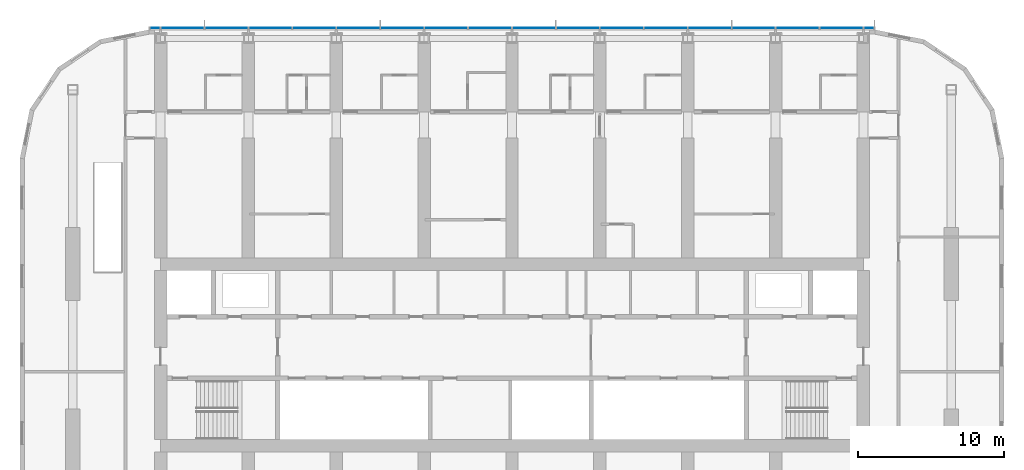
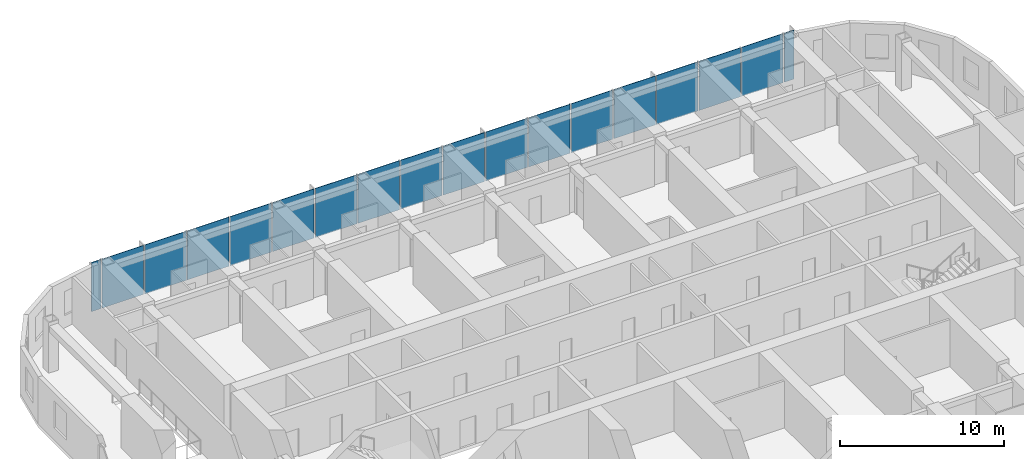
# One storey, part 9 of 22: 18 plates, 1 element without a shape of its own.
"""IFC4 building model written with IfcOpenShell, lengths in metres."""

import ifcopenshell
import ifcopenshell.guid

model = None  # the IFC model being written
_history = None  # IfcOwnerHistory: only IFC2X3 demands one
_inside = {}  # id of a spatial element -> (the spatial element, [elements in it])
_under = {}  # id of a project, library or spatial element -> (it, [spatial elements below it])
_declared = {}  # id of a project -> (the project, [libraries it declares])
_typed = {}  # id of a type object -> (the type object, [elements of that type])
_made_of = {}  # id of a material, layer set ... -> (it, [elements and type objects made of it])


def new_model(schema):
    """Start an empty IFC model of exactly this schema.

    Asked for "IFC4X3", IfcOpenShell would pick the latest addendum, in which some entities
    have other attributes; the version numbers below select the first issue.
    IFC2X3 requires an IfcOwnerHistory on every rooted entity: one is made here for all.
    """
    global model, _history
    if schema == "IFC4X3":
        model = ifcopenshell.file(schema_version=(4, 3, 0, 0))
    else:
        model = ifcopenshell.file(schema=schema)
    _inside.clear()
    _under.clear()
    _declared.clear()
    _typed.clear()
    _made_of.clear()
    _history = None
    if model.schema == "IFC2X3":
        org = make("IfcOrganization", Name="unknown")
        user = make(
            "IfcPersonAndOrganization",
            ThePerson=make("IfcPerson", FamilyName="unknown"),
            TheOrganization=org,
        )
        app = make(
            "IfcApplication",
            ApplicationDeveloper=org,
            Version="unknown",
            ApplicationFullName="unknown",
            ApplicationIdentifier="unknown",
        )
        _history = make(
            "IfcOwnerHistory",
            OwningUser=user,
            OwningApplication=app,
            ChangeAction="ADDED",
            CreationDate=0,
        )
    return model


def make(cls, **values):
    """One entity of the class cls with the attributes given. An attribute that is None is left unset."""
    return model.create_entity(
        cls, **{name: value for name, value in values.items() if value is not None}
    )


def rooted(cls, **values):
    """An entity with a GlobalId (a new one), such as an element, a storey or a relation."""
    return make(cls, GlobalId=ifcopenshell.guid.new(), OwnerHistory=_history, **values)


def si_unit(unit_type, name, prefix=None):
    """IfcSIUnit, for example si_unit("LENGTHUNIT", "METRE", prefix="MILLI")."""
    return make("IfcSIUnit", UnitType=unit_type, Prefix=prefix, Name=name)


def assignment(units):
    """IfcUnitAssignment: the units of a project."""
    return None if units is None else make("IfcUnitAssignment", Units=units)


def point(xyz):
    """IfcCartesianPoint."""
    return None if xyz is None else make("IfcCartesianPoint", Coordinates=xyz)


def direction(xyz):
    """IfcDirection."""
    return None if xyz is None else make("IfcDirection", DirectionRatios=xyz)


def frame(location, z_axis=None, x_axis=None):
    """IfcAxis2Placement3D, a coordinate frame: its origin and axes. An axis left out is left unset."""
    return make(
        "IfcAxis2Placement3D",
        Location=point(location),
        Axis=direction(z_axis),
        RefDirection=direction(x_axis),
    )


def frame_2d(location, x_axis=None):
    """IfcAxis2Placement2D, a coordinate frame in the plane: its origin and x axis."""
    return make(
        "IfcAxis2Placement2D", Location=point(location), RefDirection=direction(x_axis)
    )


def origin():
    """The frame at (0, 0, 0) with its axes left unset."""
    return frame((0.0, 0.0, 0.0))


def origin_2d():
    """The frame at (0, 0) in the plane with its x axis left unset."""
    return frame_2d((0.0, 0.0))


def place(relative_to, where):
    """IfcLocalPlacement: puts the frame where relative to a parent placement (None: the world)."""
    return make(
        "IfcLocalPlacement", PlacementRelTo=relative_to, RelativePlacement=where
    )


def context(
    kind, dimensions, precision=None, world=None, true_north=None, identifier=None
):
    """IfcGeometricRepresentationContext, for example the 3D "Model" context."""
    return make(
        "IfcGeometricRepresentationContext",
        ContextIdentifier=identifier,
        ContextType=kind,
        CoordinateSpaceDimension=dimensions,
        Precision=precision,
        WorldCoordinateSystem=world,
        TrueNorth=true_north,
    )


def subcontext(parent, identifier, kind, view, scale=None):
    """IfcGeometricRepresentationSubContext, for example "Body" below "Model"."""
    return make(
        "IfcGeometricRepresentationSubContext",
        ContextIdentifier=identifier,
        ContextType=kind,
        ParentContext=parent,
        TargetScale=scale,
        TargetView=view,
    )


def project(units=None, contexts=None):
    """IfcProject with its units and contexts."""
    return rooted(
        "IfcProject",
        Name="project",
        RepresentationContexts=contexts,
        UnitsInContext=assignment(units),
    )


def spatial(cls, under=None, at=None, **own):
    """A site, building, storey or space (cls), placed at a placement, below another one or the project."""
    s = rooted(cls, ObjectPlacement=at, **own)
    if under is not None:
        _under.setdefault(under.id(), (under, []))[1].append(s)
    return s


def profile(cls, at=None, kind="AREA", **sizes):
    """A parametric profile (cls). Its sizes go by their IFC names, for example OverallWidth=200.0."""
    return make(cls, ProfileType=kind, Position=at, **sizes)


def rectangle(**sizes):
    """IfcRectangleProfileDef."""
    return profile("IfcRectangleProfileDef", **sizes)


def extrude(swept, where, along, depth):
    """IfcExtrudedAreaSolid: the profile swept, set in the frame where, extruded along a direction by depth."""
    return make(
        "IfcExtrudedAreaSolid",
        SweptArea=swept,
        Position=where,
        ExtrudedDirection=direction(along),
        Depth=depth,
    )


def shape(context_of_items, identifier, shape_type, items):
    """IfcShapeRepresentation: the items that make up one representation, for example the "Body"."""
    return make(
        "IfcShapeRepresentation",
        ContextOfItems=context_of_items,
        RepresentationIdentifier=identifier,
        RepresentationType=shape_type,
        Items=items,
    )


def material(Name=None, Category=None):
    """IfcMaterial."""
    return make("IfcMaterial", Name=Name, Category=Category)


def layer(
    of_material, thickness, ventilated=None, Name=None, Category=None, Priority=None
):
    """IfcMaterialLayer: one layer of a wall or slab, of a material (None: an air gap)."""
    return make(
        "IfcMaterialLayer",
        Material=of_material,
        LayerThickness=thickness,
        IsVentilated=ventilated,
        Name=Name,
        Category=Category,
        Priority=Priority,
    )


def layer_set(layers, Name=None):
    """IfcMaterialLayerSet."""
    return make("IfcMaterialLayerSet", MaterialLayers=layers, LayerSetName=Name)


def made_of(thing, what):
    """Note that an element or type object is made of a material, layer set ...; save() writes the relation."""
    if what is not None:
        _made_of.setdefault(what.id(), (what, []))[1].append(thing)
    return thing


def type_object(cls, material=None, **own):
    """A type object (cls), such as IfcWallType, which elements share."""
    return made_of(rooted(cls, **own), material)


def element(
    cls,
    number,
    at=None,
    inside=None,
    cuts=None,
    type_object=None,
    material=None,
    context=None,
    identifier="Body",
    shape_type=None,
    held_by="IfcProductDefinitionShape",
    body=None,
    shapes=None,
    **own,
):
    """One element of the class cls, such as IfcWall. Its Tag is "e" and its number.

    at: its placement. inside: the storey or other place that contains it. cuts: it is an
    opening in that element (IfcRelVoidsElement). A single representation is given by context,
    identifier, shape_type and body (its items); several are given by shapes. held_by: the class
    of the entity that holds the representations. save() writes the other relations.
    """
    e = rooted(cls, Tag="e%d" % number, ObjectPlacement=at, **own)
    if body is not None:
        shapes = [shape(context, identifier, shape_type, body)]
    if shapes is not None:
        e.Representation = make(held_by, Representations=shapes)
    if inside is not None:
        _inside.setdefault(inside.id(), (inside, []))[1].append(e)
    if cuts is not None:
        rooted(
            "IfcRelVoidsElement", RelatingBuildingElement=cuts, RelatedOpeningElement=e
        )
    if type_object is not None:
        _typed.setdefault(type_object.id(), (type_object, []))[1].append(e)
    return made_of(e, material)


def aggregate(whole, parts):
    """IfcRelAggregates: a whole, such as a stair, and the parts it consists of."""
    return rooted("IfcRelAggregates", RelatingObject=whole, RelatedObjects=parts)


def save(model, path):
    """Write the relations noted so far, then the file.

    IfcRelAggregates (storeys below a building ...), IfcRelContainedInSpatialStructure (elements
    in a storey), IfcRelDefinesByType, IfcRelAssociatesMaterial and IfcRelDeclares: one each for
    every whole, place, type object, material and project.
    """
    for whole, parts in _under.values():
        aggregate(whole, parts)
    for where, things in _inside.values():
        rooted(
            "IfcRelContainedInSpatialStructure",
            RelatedElements=things,
            RelatingStructure=where,
        )
    for kind, things in _typed.values():
        rooted("IfcRelDefinesByType", RelatedObjects=things, RelatingType=kind)
    for what, things in _made_of.values():
        rooted("IfcRelAssociatesMaterial", RelatedObjects=things, RelatingMaterial=what)
    for by, libraries in _declared.values():
        rooted("IfcRelDeclares", RelatingContext=by, RelatedDefinitions=libraries)
    model.write(path)


model = new_model("IFC4")

# Units and contexts
model_context = context("Model", 3, precision=1e-05, world=origin(), true_north=direction((0.0, 1.0)))
body_context = subcontext(model_context, "Body", "Model", "MODEL_VIEW")
ifc_project = project(units=[si_unit("LENGTHUNIT", "METRE"), si_unit("AREAUNIT", "SQUARE_METRE"), si_unit("VOLUMEUNIT", "CUBIC_METRE"), si_unit("PLANEANGLEUNIT", "RADIAN"), si_unit("MASSUNIT", "GRAM", prefix="KILO")], contexts=[model_context])

# Site, building, storey
site_placement = place(None, origin())
site = spatial("IfcSite", under=ifc_project, at=site_placement, CompositionType="ELEMENT")
building_placement = place(site_placement, origin())
building = spatial("IfcBuilding", under=site, at=building_placement, Name="Orbita Commons", CompositionType="ELEMENT")
storey_placement = place(building_placement, frame((0.0, 0.0, 152.35009765625)))
storey = spatial("IfcBuildingStorey", under=building, at=storey_placement, Name="L37", CompositionType="ELEMENT", Elevation=152.35009765625)

# Curtain wall, plates
ifc_material_1 = material(Name="Anodised aluminium frame, pale silver", Category="aluminium")
curtain_wall_type = type_object("IfcCurtainWallType", Name="Unitised curtain wall CW-U, full-height vision", PredefinedType="NOTDEFINED", material=ifc_material_1)
curtain_wall_placement = place(storey_placement, origin())
curtain_wall = element("IfcCurtainWall", 1, at=curtain_wall_placement, inside=storey, type_object=curtain_wall_type, Name="Curtain wall north L37", PredefinedType="NOTDEFINED")
ifc_material_2 = material(Name="Clear double glazing", Category="glass")
ifc_layer = layer(ifc_material_2, 0.031982421875)
ifc_layer_set = layer_set([ifc_layer], Name="Clear double glazing")
plate_type = type_object("IfcPlateType", Name="Full-height vision panel, clear glazing 32", PredefinedType="CURTAIN_PANEL", material=ifc_layer_set)
plate_1_placement = place(storey_placement, frame((66.3798828125, 54.31005859375, -0.150146484375), z_axis=(0.0, 0.0, 1.0), x_axis=(-1.0, 0.0, 0.0)))
plate_1 = element("IfcPlate", 2, at=plate_1_placement, type_object=plate_type, Name="Panel 1.1 CW-L37-N", PredefinedType="CURTAIN_PANEL", context=body_context, shape_type="SweptSolid", body=[
    extrude(rectangle(XDim=0.679931640625, YDim=0.031982421875, at=origin_2d()), origin(), (0.0, 0.0, 1.0), 3.64990234375),
])
plate_2_placement = place(storey_placement, frame((64.5, 54.31005859375, -0.150146484375), z_axis=(0.0, 0.0, 1.0), x_axis=(-1.0, 0.0, 0.0)))
plate_2 = element("IfcPlate", 3, at=plate_2_placement, type_object=plate_type, Name="Panel 2.1 CW-L37-N", PredefinedType="CURTAIN_PANEL", context=body_context, shape_type="SweptSolid", body=[
    extrude(rectangle(XDim=2.919921875, YDim=0.031982421875, at=origin_2d()), origin(), (0.0, 0.0, 1.0), 3.64990234375),
])
plate_3_placement = place(storey_placement, frame((61.5, 54.31005859375, -0.150146484375), z_axis=(0.0, 0.0, 1.0), x_axis=(-1.0, 0.0, 0.0)))
plate_3 = element("IfcPlate", 4, at=plate_3_placement, type_object=plate_type, Name="Panel 3.1 CW-L37-N", PredefinedType="CURTAIN_PANEL", context=body_context, shape_type="SweptSolid", body=[
    extrude(rectangle(XDim=2.919921875, YDim=0.031982421875, at=origin_2d()), origin(), (0.0, 0.0, 1.0), 3.64990234375),
])
plate_4_placement = place(storey_placement, frame((58.5, 54.31005859375, -0.150146484375), z_axis=(0.0, 0.0, 1.0), x_axis=(-1.0, 0.0, 0.0)))
plate_4 = element("IfcPlate", 5, at=plate_4_placement, type_object=plate_type, Name="Panel 4.1 CW-L37-N", PredefinedType="CURTAIN_PANEL", context=body_context, shape_type="SweptSolid", body=[
    extrude(rectangle(XDim=2.919921875, YDim=0.031982421875, at=origin_2d()), origin(), (0.0, 0.0, 1.0), 3.64990234375),
])
plate_5_placement = place(storey_placement, frame((55.5, 54.31005859375, -0.150146484375), z_axis=(0.0, 0.0, 1.0), x_axis=(-1.0, 0.0, 0.0)))
plate_5 = element("IfcPlate", 6, at=plate_5_placement, type_object=plate_type, Name="Panel 5.1 CW-L37-N", PredefinedType="CURTAIN_PANEL", context=body_context, shape_type="SweptSolid", body=[
    extrude(rectangle(XDim=2.919921875, YDim=0.031982421875, at=origin_2d()), origin(), (0.0, 0.0, 1.0), 3.64990234375),
])
plate_6_placement = place(storey_placement, frame((52.5, 54.31005859375, -0.150146484375), z_axis=(0.0, 0.0, 1.0), x_axis=(-1.0, 0.0, 0.0)))
plate_6 = element("IfcPlate", 7, at=plate_6_placement, type_object=plate_type, Name="Panel 6.1 CW-L37-N", PredefinedType="CURTAIN_PANEL", context=body_context, shape_type="SweptSolid", body=[
    extrude(rectangle(XDim=2.919921875, YDim=0.031982421875, at=origin_2d()), origin(), (0.0, 0.0, 1.0), 3.64990234375),
])
plate_7_placement = place(storey_placement, frame((49.5, 54.31005859375, -0.150146484375), z_axis=(0.0, 0.0, 1.0), x_axis=(-1.0, 0.0, 0.0)))
plate_7 = element("IfcPlate", 8, at=plate_7_placement, type_object=plate_type, Name="Panel 7.1 CW-L37-N", PredefinedType="CURTAIN_PANEL", context=body_context, shape_type="SweptSolid", body=[
    extrude(rectangle(XDim=2.919921875, YDim=0.031982421875, at=origin_2d()), origin(), (0.0, 0.0, 1.0), 3.64990234375),
])
plate_8_placement = place(storey_placement, frame((46.5, 54.31005859375, -0.150146484375), z_axis=(0.0, 0.0, 1.0), x_axis=(-1.0, 0.0, 0.0)))
plate_8 = element("IfcPlate", 9, at=plate_8_placement, type_object=plate_type, Name="Panel 8.1 CW-L37-N", PredefinedType="CURTAIN_PANEL", context=body_context, shape_type="SweptSolid", body=[
    extrude(rectangle(XDim=2.919921875, YDim=0.031982421875, at=origin_2d()), origin(), (0.0, 0.0, 1.0), 3.64990234375),
])
plate_9_placement = place(storey_placement, frame((43.5, 54.31005859375, -0.150146484375), z_axis=(0.0, 0.0, 1.0), x_axis=(-1.0, 0.0, 0.0)))
plate_9 = element("IfcPlate", 10, at=plate_9_placement, type_object=plate_type, Name="Panel 9.1 CW-L37-N", PredefinedType="CURTAIN_PANEL", context=body_context, shape_type="SweptSolid", body=[
    extrude(rectangle(XDim=2.919921875, YDim=0.031982421875, at=origin_2d()), origin(), (0.0, 0.0, 1.0), 3.64990234375),
])
plate_10_placement = place(storey_placement, frame((40.5, 54.31005859375, -0.150146484375), z_axis=(0.0, 0.0, 1.0), x_axis=(-1.0, 0.0, 0.0)))
plate_10 = element("IfcPlate", 11, at=plate_10_placement, type_object=plate_type, Name="Panel 10.1 CW-L37-N", PredefinedType="CURTAIN_PANEL", context=body_context, shape_type="SweptSolid", body=[
    extrude(rectangle(XDim=2.919921875, YDim=0.031982421875, at=origin_2d()), origin(), (0.0, 0.0, 1.0), 3.64990234375),
])
plate_11_placement = place(storey_placement, frame((37.5, 54.31005859375, -0.150146484375), z_axis=(0.0, 0.0, 1.0), x_axis=(-1.0, 0.0, 0.0)))
plate_11 = element("IfcPlate", 12, at=plate_11_placement, type_object=plate_type, Name="Panel 11.1 CW-L37-N", PredefinedType="CURTAIN_PANEL", context=body_context, shape_type="SweptSolid", body=[
    extrude(rectangle(XDim=2.919921875, YDim=0.031982421875, at=origin_2d()), origin(), (0.0, 0.0, 1.0), 3.64990234375),
])
plate_12_placement = place(storey_placement, frame((34.5, 54.31005859375, -0.150146484375), z_axis=(0.0, 0.0, 1.0), x_axis=(-1.0, 0.0, 0.0)))
plate_12 = element("IfcPlate", 13, at=plate_12_placement, type_object=plate_type, Name="Panel 12.1 CW-L37-N", PredefinedType="CURTAIN_PANEL", context=body_context, shape_type="SweptSolid", body=[
    extrude(rectangle(XDim=2.919921875, YDim=0.031982421875, at=origin_2d()), origin(), (0.0, 0.0, 1.0), 3.64990234375),
])
plate_13_placement = place(storey_placement, frame((31.5, 54.31005859375, -0.150146484375), z_axis=(0.0, 0.0, 1.0), x_axis=(-1.0, 0.0, 0.0)))
plate_13 = element("IfcPlate", 14, at=plate_13_placement, type_object=plate_type, Name="Panel 13.1 CW-L37-N", PredefinedType="CURTAIN_PANEL", context=body_context, shape_type="SweptSolid", body=[
    extrude(rectangle(XDim=2.919921875, YDim=0.031982421875, at=origin_2d()), origin(), (0.0, 0.0, 1.0), 3.64990234375),
])
plate_14_placement = place(storey_placement, frame((28.5, 54.31005859375, -0.150146484375), z_axis=(0.0, 0.0, 1.0), x_axis=(-1.0, 0.0, 0.0)))
plate_14 = element("IfcPlate", 15, at=plate_14_placement, type_object=plate_type, Name="Panel 14.1 CW-L37-N", PredefinedType="CURTAIN_PANEL", context=body_context, shape_type="SweptSolid", body=[
    extrude(rectangle(XDim=2.919921875, YDim=0.031982421875, at=origin_2d()), origin(), (0.0, 0.0, 1.0), 3.64990234375),
])
plate_15_placement = place(storey_placement, frame((25.5, 54.31005859375, -0.150146484375), z_axis=(0.0, 0.0, 1.0), x_axis=(-1.0, 0.0, 0.0)))
plate_15 = element("IfcPlate", 16, at=plate_15_placement, type_object=plate_type, Name="Panel 15.1 CW-L37-N", PredefinedType="CURTAIN_PANEL", context=body_context, shape_type="SweptSolid", body=[
    extrude(rectangle(XDim=2.919921875, YDim=0.031982421875, at=origin_2d()), origin(), (0.0, 0.0, 1.0), 3.64990234375),
])
plate_16_placement = place(storey_placement, frame((22.5, 54.31005859375, -0.150146484375), z_axis=(0.0, 0.0, 1.0), x_axis=(-1.0, 0.0, 0.0)))
plate_16 = element("IfcPlate", 17, at=plate_16_placement, type_object=plate_type, Name="Panel 16.1 CW-L37-N", PredefinedType="CURTAIN_PANEL", context=body_context, shape_type="SweptSolid", body=[
    extrude(rectangle(XDim=2.919921875, YDim=0.031982421875, at=origin_2d()), origin(), (0.0, 0.0, 1.0), 3.64990234375),
])
plate_17_placement = place(storey_placement, frame((19.5, 54.31005859375, -0.150146484375), z_axis=(0.0, 0.0, 1.0), x_axis=(-1.0, 0.0, 0.0)))
plate_17 = element("IfcPlate", 18, at=plate_17_placement, type_object=plate_type, Name="Panel 17.1 CW-L37-N", PredefinedType="CURTAIN_PANEL", context=body_context, shape_type="SweptSolid", body=[
    extrude(rectangle(XDim=2.919921875, YDim=0.031982421875, at=origin_2d()), origin(), (0.0, 0.0, 1.0), 3.64990234375),
])
plate_18_placement = place(storey_placement, frame((17.6201171875, 54.31005859375, -0.150146484375), z_axis=(0.0, 0.0, 1.0), x_axis=(-1.0, 0.0, 0.0)))
plate_18 = element("IfcPlate", 19, at=plate_18_placement, type_object=plate_type, Name="Panel 18.1 CW-L37-N", PredefinedType="CURTAIN_PANEL", context=body_context, shape_type="SweptSolid", body=[
    extrude(rectangle(XDim=0.679931640625, YDim=0.031982421875, at=origin_2d()), origin(), (0.0, 0.0, 1.0), 3.64990234375),
])
aggregate(curtain_wall, [plate_1, plate_2, plate_3, plate_4, plate_5, plate_6, plate_7, plate_8, plate_9, plate_10, plate_11, plate_12, plate_13, plate_14, plate_15, plate_16, plate_17, plate_18])

save(model, "model.ifc")
